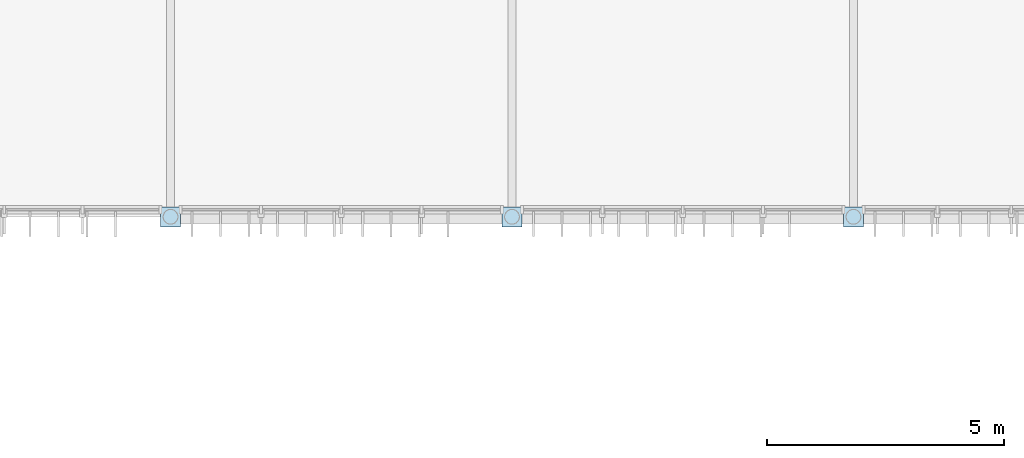
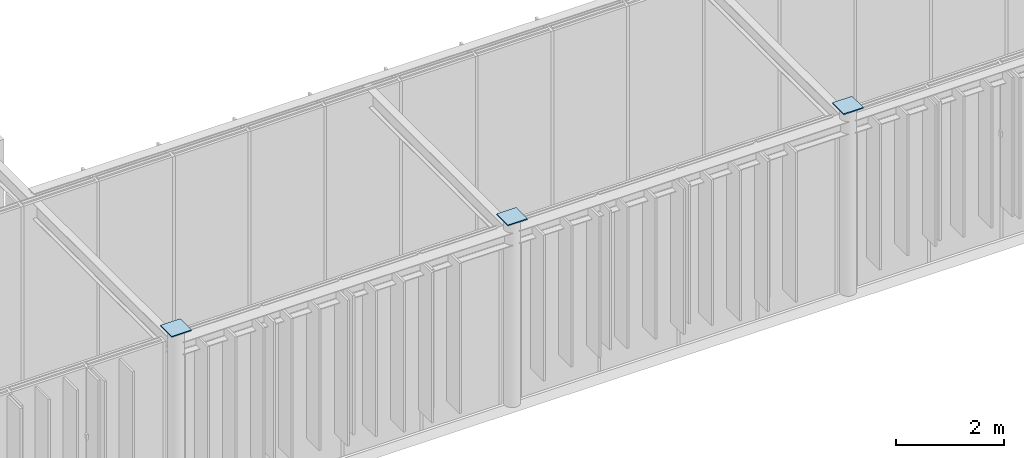
# One storey, part 35 of 122: 3 plates.
"""IFC4 building model written with IfcOpenShell, lengths in metres."""

from ifc_helpers import new_model, si_unit, direction, frame, origin, origin_2d, place, context, subcontext, project, spatial, rectangle, extrude, material, layer, layer_set, type_object, element, save


model = new_model("IFC4")

# Units and contexts
model_context = context("Model", 3, precision=1e-05, world=origin(), true_north=direction((0.0, 1.0)))
body_context = subcontext(model_context, "Body", "Model", "MODEL_VIEW")
ifc_project = project(units=[si_unit("LENGTHUNIT", "METRE"), si_unit("AREAUNIT", "SQUARE_METRE"), si_unit("VOLUMEUNIT", "CUBIC_METRE"), si_unit("PLANEANGLEUNIT", "RADIAN"), si_unit("MASSUNIT", "GRAM", prefix="KILO")], contexts=[model_context])

# Site, building, storey
site_placement = place(None, origin())
site = spatial("IfcSite", under=ifc_project, at=site_placement, CompositionType="ELEMENT")
building_placement = place(site_placement, origin())
building = spatial("IfcBuilding", under=site, at=building_placement, Name="Tazoul Stagehouse", CompositionType="ELEMENT")
storey_placement = place(building_placement, frame((0.0, 0.0, 4.800048828125)))
storey = spatial("IfcBuildingStorey", under=building, at=storey_placement, Name="L01", CompositionType="ELEMENT", Elevation=4.800048828125)

# Plates
ifc_material = material(Name="Steel S355", Category="steel")
ifc_layer = layer(ifc_material, 0.02392578125, Name="Steel S355")
ifc_layer_set = layer_set([ifc_layer], Name="Steel S355")
plate_type = type_object("IfcPlateType", Name="Steel Gusset Node Plate 420x420x24 (Exterior)", PredefinedType="USERDEFINED", material=ifc_layer_set)
for number, where, z_axis, x_axis, name in (
    (1, (102.60009765625, 44.60009765625, 4.197998046875), (0.0, 0.0, 1.0), (1.0, 0.0, 0.0), "L01 Arcade Column Top Cap Plate GP-02E (16/G)"),
    (2, (109.800048828125, 44.60009765625, 4.197998046875), (0.0, 0.0, 1.0), (1.0, 0.0, 0.0), "L01 Arcade Column Top Cap Plate GP-02E (17/G)"),
    (3, (117.0, 44.60009765625, 4.197998046875), (0.0, 0.0, 1.0), (1.0, 0.0, 0.0), "L01 Arcade Column Top Cap Plate GP-02E (18/G)"),
):
    element("IfcPlate", number, at=place(storey_placement, frame(where, z_axis=z_axis, x_axis=x_axis)), inside=storey, type_object=plate_type, Name=name, ObjectType="GUSSET PLATE", PredefinedType="USERDEFINED", context=body_context, shape_type="SweptSolid", body=[
        extrude(rectangle(XDim=0.419921875, YDim=0.419921875, at=origin_2d()), origin(), (0.0, 0.0, 1.0), 0.02392578125),
    ])

save(model, "model.ifc")
